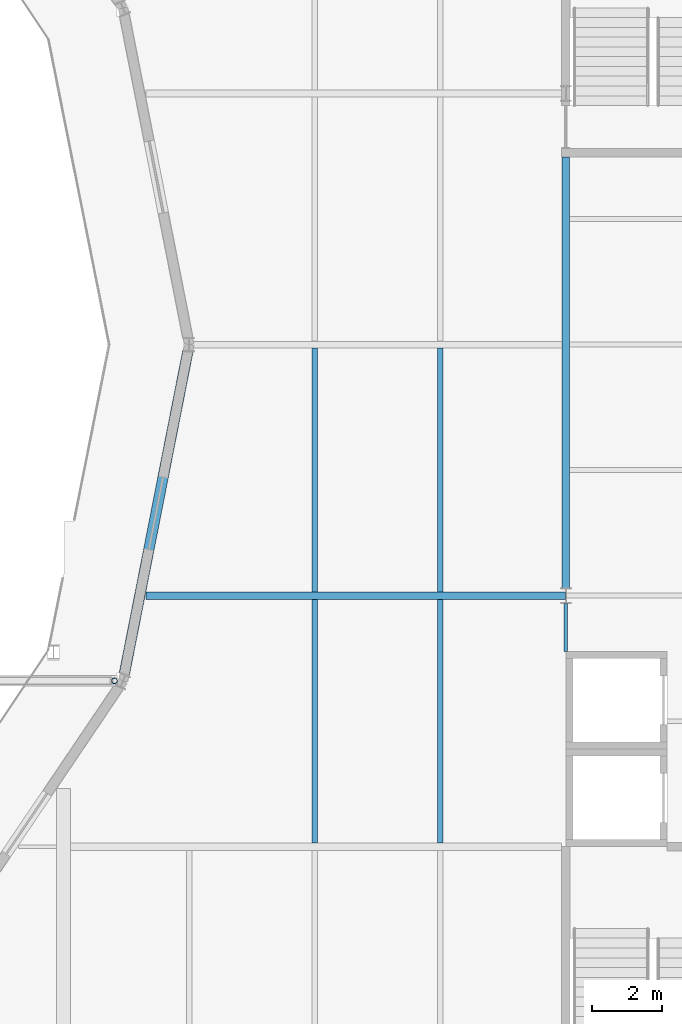
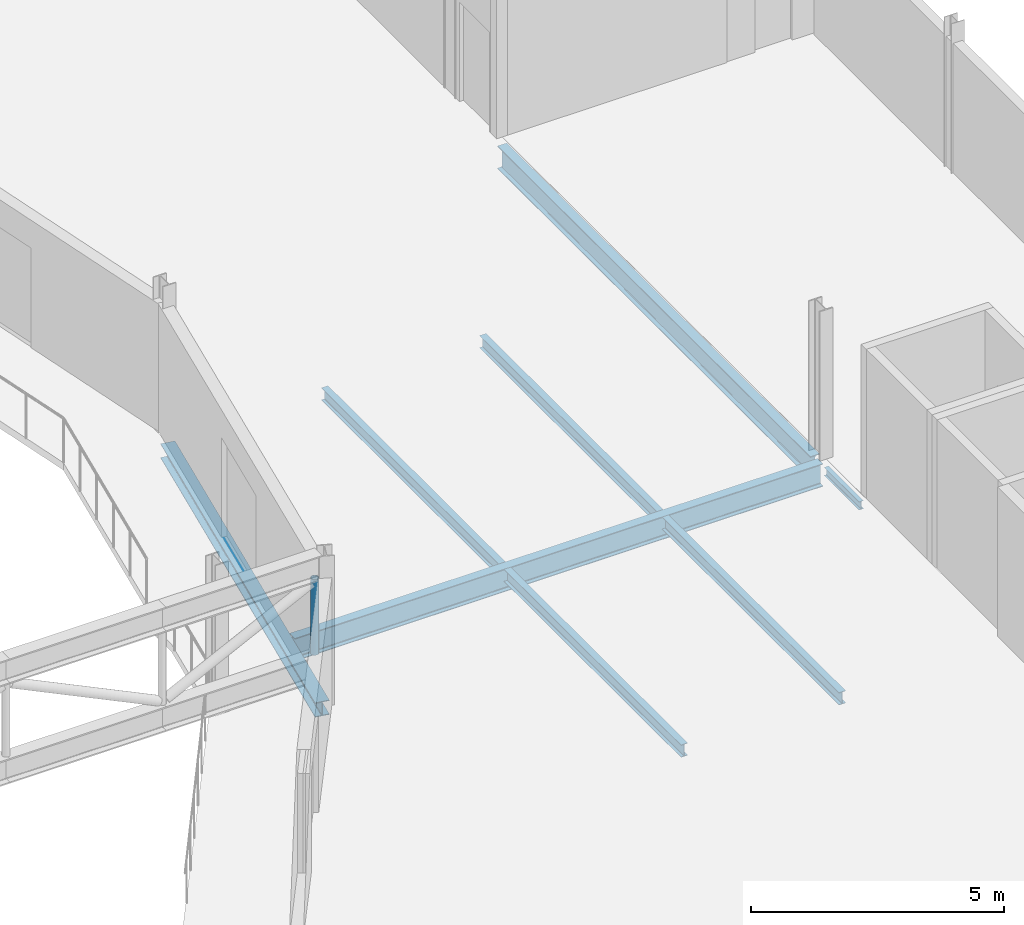
# One storey, part 45 of 143: 8 beams, 1 member.
"""IFC4 building model written with IfcOpenShell, lengths in metres."""

import ifcopenshell
import ifcopenshell.guid

model = None  # the IFC model being written
_history = None  # IfcOwnerHistory: only IFC2X3 demands one
_inside = {}  # id of a spatial element -> (the spatial element, [elements in it])
_under = {}  # id of a project, library or spatial element -> (it, [spatial elements below it])
_declared = {}  # id of a project -> (the project, [libraries it declares])
_typed = {}  # id of a type object -> (the type object, [elements of that type])
_made_of = {}  # id of a material, layer set ... -> (it, [elements and type objects made of it])


def new_model(schema):
    """Start an empty IFC model of exactly this schema.

    Asked for "IFC4X3", IfcOpenShell would pick the latest addendum, in which some entities
    have other attributes; the version numbers below select the first issue.
    IFC2X3 requires an IfcOwnerHistory on every rooted entity: one is made here for all.
    """
    global model, _history
    if schema == "IFC4X3":
        model = ifcopenshell.file(schema_version=(4, 3, 0, 0))
    else:
        model = ifcopenshell.file(schema=schema)
    _inside.clear()
    _under.clear()
    _declared.clear()
    _typed.clear()
    _made_of.clear()
    _history = None
    if model.schema == "IFC2X3":
        org = make("IfcOrganization", Name="unknown")
        user = make(
            "IfcPersonAndOrganization",
            ThePerson=make("IfcPerson", FamilyName="unknown"),
            TheOrganization=org,
        )
        app = make(
            "IfcApplication",
            ApplicationDeveloper=org,
            Version="unknown",
            ApplicationFullName="unknown",
            ApplicationIdentifier="unknown",
        )
        _history = make(
            "IfcOwnerHistory",
            OwningUser=user,
            OwningApplication=app,
            ChangeAction="ADDED",
            CreationDate=0,
        )
    return model


def make(cls, **values):
    """One entity of the class cls with the attributes given. An attribute that is None is left unset."""
    return model.create_entity(
        cls, **{name: value for name, value in values.items() if value is not None}
    )


def rooted(cls, **values):
    """An entity with a GlobalId (a new one), such as an element, a storey or a relation."""
    return make(cls, GlobalId=ifcopenshell.guid.new(), OwnerHistory=_history, **values)


def si_unit(unit_type, name, prefix=None):
    """IfcSIUnit, for example si_unit("LENGTHUNIT", "METRE", prefix="MILLI")."""
    return make("IfcSIUnit", UnitType=unit_type, Prefix=prefix, Name=name)


def assignment(units):
    """IfcUnitAssignment: the units of a project."""
    return None if units is None else make("IfcUnitAssignment", Units=units)


def point(xyz):
    """IfcCartesianPoint."""
    return None if xyz is None else make("IfcCartesianPoint", Coordinates=xyz)


def direction(xyz):
    """IfcDirection."""
    return None if xyz is None else make("IfcDirection", DirectionRatios=xyz)


def frame(location, z_axis=None, x_axis=None):
    """IfcAxis2Placement3D, a coordinate frame: its origin and axes. An axis left out is left unset."""
    return make(
        "IfcAxis2Placement3D",
        Location=point(location),
        Axis=direction(z_axis),
        RefDirection=direction(x_axis),
    )


def frame_2d(location, x_axis=None):
    """IfcAxis2Placement2D, a coordinate frame in the plane: its origin and x axis."""
    return make(
        "IfcAxis2Placement2D", Location=point(location), RefDirection=direction(x_axis)
    )


def origin():
    """The frame at (0, 0, 0) with its axes left unset."""
    return frame((0.0, 0.0, 0.0))


def origin_2d():
    """The frame at (0, 0) in the plane with its x axis left unset."""
    return frame_2d((0.0, 0.0))


def place(relative_to, where):
    """IfcLocalPlacement: puts the frame where relative to a parent placement (None: the world)."""
    return make(
        "IfcLocalPlacement", PlacementRelTo=relative_to, RelativePlacement=where
    )


def context(
    kind, dimensions, precision=None, world=None, true_north=None, identifier=None
):
    """IfcGeometricRepresentationContext, for example the 3D "Model" context."""
    return make(
        "IfcGeometricRepresentationContext",
        ContextIdentifier=identifier,
        ContextType=kind,
        CoordinateSpaceDimension=dimensions,
        Precision=precision,
        WorldCoordinateSystem=world,
        TrueNorth=true_north,
    )


def subcontext(parent, identifier, kind, view, scale=None):
    """IfcGeometricRepresentationSubContext, for example "Body" below "Model"."""
    return make(
        "IfcGeometricRepresentationSubContext",
        ContextIdentifier=identifier,
        ContextType=kind,
        ParentContext=parent,
        TargetScale=scale,
        TargetView=view,
    )


def project(units=None, contexts=None):
    """IfcProject with its units and contexts."""
    return rooted(
        "IfcProject",
        Name="project",
        RepresentationContexts=contexts,
        UnitsInContext=assignment(units),
    )


def spatial(cls, under=None, at=None, **own):
    """A site, building, storey or space (cls), placed at a placement, below another one or the project."""
    s = rooted(cls, ObjectPlacement=at, **own)
    if under is not None:
        _under.setdefault(under.id(), (under, []))[1].append(s)
    return s


def profile(cls, at=None, kind="AREA", **sizes):
    """A parametric profile (cls). Its sizes go by their IFC names, for example OverallWidth=200.0."""
    return make(cls, ProfileType=kind, Position=at, **sizes)


def hollow_circle(**sizes):
    """IfcCircleHollowProfileDef."""
    return profile("IfcCircleHollowProfileDef", **sizes)


def i_section(**sizes):
    """IfcIShapeProfileDef."""
    return profile("IfcIShapeProfileDef", **sizes)


def extrude(swept, where, along, depth):
    """IfcExtrudedAreaSolid: the profile swept, set in the frame where, extruded along a direction by depth."""
    return make(
        "IfcExtrudedAreaSolid",
        SweptArea=swept,
        Position=where,
        ExtrudedDirection=direction(along),
        Depth=depth,
    )


def shape(context_of_items, identifier, shape_type, items):
    """IfcShapeRepresentation: the items that make up one representation, for example the "Body"."""
    return make(
        "IfcShapeRepresentation",
        ContextOfItems=context_of_items,
        RepresentationIdentifier=identifier,
        RepresentationType=shape_type,
        Items=items,
    )


def material(Name=None, Category=None):
    """IfcMaterial."""
    return make("IfcMaterial", Name=Name, Category=Category)


def material_profile(
    of_material, cross_section, Name=None, Category=None, Priority=None
):
    """IfcMaterialProfile: a cross section and its material."""
    return make(
        "IfcMaterialProfile",
        Name=Name,
        Material=of_material,
        Profile=cross_section,
        Priority=Priority,
        Category=Category,
    )


def profile_set(profiles, Name=None, composite=None):
    """IfcMaterialProfileSet."""
    return make(
        "IfcMaterialProfileSet",
        Name=Name,
        MaterialProfiles=profiles,
        CompositeProfile=composite,
    )


def made_of(thing, what):
    """Note that an element or type object is made of a material, layer set ...; save() writes the relation."""
    if what is not None:
        _made_of.setdefault(what.id(), (what, []))[1].append(thing)
    return thing


def type_object(cls, material=None, **own):
    """A type object (cls), such as IfcWallType, which elements share."""
    return made_of(rooted(cls, **own), material)


def element(
    cls,
    number,
    at=None,
    inside=None,
    cuts=None,
    type_object=None,
    material=None,
    context=None,
    identifier="Body",
    shape_type=None,
    held_by="IfcProductDefinitionShape",
    body=None,
    shapes=None,
    **own,
):
    """One element of the class cls, such as IfcWall. Its Tag is "e" and its number.

    at: its placement. inside: the storey or other place that contains it. cuts: it is an
    opening in that element (IfcRelVoidsElement). A single representation is given by context,
    identifier, shape_type and body (its items); several are given by shapes. held_by: the class
    of the entity that holds the representations. save() writes the other relations.
    """
    e = rooted(cls, Tag="e%d" % number, ObjectPlacement=at, **own)
    if body is not None:
        shapes = [shape(context, identifier, shape_type, body)]
    if shapes is not None:
        e.Representation = make(held_by, Representations=shapes)
    if inside is not None:
        _inside.setdefault(inside.id(), (inside, []))[1].append(e)
    if cuts is not None:
        rooted(
            "IfcRelVoidsElement", RelatingBuildingElement=cuts, RelatedOpeningElement=e
        )
    if type_object is not None:
        _typed.setdefault(type_object.id(), (type_object, []))[1].append(e)
    return made_of(e, material)


def aggregate(whole, parts):
    """IfcRelAggregates: a whole, such as a stair, and the parts it consists of."""
    return rooted("IfcRelAggregates", RelatingObject=whole, RelatedObjects=parts)


def save(model, path):
    """Write the relations noted so far, then the file.

    IfcRelAggregates (storeys below a building ...), IfcRelContainedInSpatialStructure (elements
    in a storey), IfcRelDefinesByType, IfcRelAssociatesMaterial and IfcRelDeclares: one each for
    every whole, place, type object, material and project.
    """
    for whole, parts in _under.values():
        aggregate(whole, parts)
    for where, things in _inside.values():
        rooted(
            "IfcRelContainedInSpatialStructure",
            RelatedElements=things,
            RelatingStructure=where,
        )
    for kind, things in _typed.values():
        rooted("IfcRelDefinesByType", RelatedObjects=things, RelatingType=kind)
    for what, things in _made_of.values():
        rooted("IfcRelAssociatesMaterial", RelatedObjects=things, RelatingMaterial=what)
    for by, libraries in _declared.values():
        rooted("IfcRelDeclares", RelatingContext=by, RelatedDefinitions=libraries)
    model.write(path)


model = new_model("IFC4")

# Units and contexts
model_context = context("Model", 3, precision=1e-05, world=origin(), true_north=direction((0.0, 1.0)))
body_context = subcontext(model_context, "Body", "Model", "MODEL_VIEW")
ifc_project = project(units=[si_unit("LENGTHUNIT", "METRE"), si_unit("AREAUNIT", "SQUARE_METRE"), si_unit("VOLUMEUNIT", "CUBIC_METRE"), si_unit("PLANEANGLEUNIT", "RADIAN"), si_unit("MASSUNIT", "GRAM", prefix="KILO")], contexts=[model_context])

# Site, building, storey
site_placement = place(None, origin())
site = spatial("IfcSite", under=ifc_project, at=site_placement, CompositionType="ELEMENT")
building_placement = place(site_placement, origin())
building = spatial("IfcBuilding", under=site, at=building_placement, Name="Kupolbacken Congress Centre", CompositionType="ELEMENT")
storey_placement = place(building_placement, frame((0.0, 0.0, 7.199951171875)))
storey = spatial("IfcBuildingStorey", under=building, at=storey_placement, Name="L02", CompositionType="ELEMENT", Elevation=7.199951171875)

# Beams
ifc_material_1 = material(Name="Steel S355", Category="steel")
ifc_material_profile_1 = material_profile(ifc_material_1, i_section(OverallWidth=0.10009765625, OverallDepth=0.199951171875, WebThickness=0.005615234375, FlangeThickness=0.008544921875, FilletRadius=0.011962890625, at=origin_2d()), Name="IPE 200")
ifc_profile_set_1 = profile_set([ifc_material_profile_1], Name="Steel S355")
beam_type_1 = type_object("IfcBeamType", Name="B01 beam IPE 200", PredefinedType="BEAM", material=ifc_profile_set_1)
beam_1_placement = place(storey_placement, frame((79.199951171875, 77.60009765625, -0.280029296875), z_axis=(0.0, 1.0, 0.0), x_axis=(-1.0, 0.0, 0.0)))
element("IfcBeam", 1, at=beam_1_placement, inside=storey, type_object=beam_type_1, Name="S/floor/P/L02/G034", PredefinedType="BEAM", context=body_context, shape_type="SweptSolid", body=[
    extrude(i_section(OverallWidth=0.10009765625, OverallDepth=0.199951171875, WebThickness=0.005615234375, FlangeThickness=0.008544921875, FilletRadius=0.011962890625, at=origin_2d()), origin(), (0.0, 0.0, 1.0), 1.375),
])
ifc_material_2 = material(Name="Steel S355", Category="steel")
ifc_material_profile_2 = material_profile(ifc_material_2, i_section(OverallWidth=0.14990234375, OverallDepth=0.300048828125, WebThickness=0.007080078125, FlangeThickness=0.0107421875, FilletRadius=0.014892578125, at=origin_2d()), Name="IPE 300")
ifc_profile_set_2 = profile_set([ifc_material_profile_2], Name="Steel S355")
beam_type_2 = type_object("IfcBeamType", Name="B04 beam IPE 300", PredefinedType="BEAM", material=ifc_profile_set_2)
beam_2_placement = place(storey_placement, frame((72.0, 72.110107421875, -0.329833984375), z_axis=(0.0, 1.0, 0.0), x_axis=(-1.0, 0.0, 0.0)))
element("IfcBeam", 2, at=beam_2_placement, inside=storey, type_object=beam_type_2, Name="S/floor/P/L02/S143", PredefinedType="BEAM", context=body_context, shape_type="SweptSolid", body=[
    extrude(i_section(OverallWidth=0.14990234375, OverallDepth=0.300048828125, WebThickness=0.007080078125, FlangeThickness=0.0107421875, FilletRadius=0.014892578125, at=origin_2d()), origin(), (0.0, 0.0, 1.0), 6.98486328125),
])
beam_3_placement = place(storey_placement, frame((72.0, 79.304931640625, -0.329833984375), z_axis=(0.0, 1.0, 0.0), x_axis=(-1.0, 0.0, 0.0)))
element("IfcBeam", 3, at=beam_3_placement, inside=storey, type_object=beam_type_2, Name="S/floor/P/L02/S144", PredefinedType="BEAM", context=body_context, shape_type="SweptSolid", body=[
    extrude(i_section(OverallWidth=0.14990234375, OverallDepth=0.300048828125, WebThickness=0.007080078125, FlangeThickness=0.0107421875, FilletRadius=0.014892578125, at=origin_2d()), origin(), (0.0, 0.0, 1.0), 7.0),
])
beam_4_placement = place(storey_placement, frame((75.60009765625, 72.110107421875, -0.329833984375), z_axis=(0.0, 1.0, 0.0), x_axis=(-1.0, 0.0, 0.0)))
element("IfcBeam", 4, at=beam_4_placement, inside=storey, type_object=beam_type_2, Name="S/floor/P/L02/S154", PredefinedType="BEAM", context=body_context, shape_type="SweptSolid", body=[
    extrude(i_section(OverallWidth=0.14990234375, OverallDepth=0.300048828125, WebThickness=0.007080078125, FlangeThickness=0.0107421875, FilletRadius=0.014892578125, at=origin_2d()), origin(), (0.0, 0.0, 1.0), 6.98486328125),
])
beam_5_placement = place(storey_placement, frame((75.60009765625, 79.304931640625, -0.329833984375), z_axis=(0.0, 1.0, 0.0), x_axis=(-1.0, 0.0, 0.0)))
element("IfcBeam", 5, at=beam_5_placement, inside=storey, type_object=beam_type_2, Name="S/floor/P/L02/S155", PredefinedType="BEAM", context=body_context, shape_type="SweptSolid", body=[
    extrude(i_section(OverallWidth=0.14990234375, OverallDepth=0.300048828125, WebThickness=0.007080078125, FlangeThickness=0.0107421875, FilletRadius=0.014892578125, at=origin_2d()), origin(), (0.0, 0.0, 1.0), 7.0),
])
ifc_material_3 = material(Name="Steel S355", Category="steel")
ifc_material_profile_3 = material_profile(ifc_material_3, i_section(OverallWidth=0.2099609375, OverallDepth=0.550048828125, WebThickness=0.010986328125, FlangeThickness=0.01708984375, FilletRadius=0.02392578125, at=origin_2d()), Name="IPE 550")
ifc_profile_set_3 = profile_set([ifc_material_profile_3], Name="Steel S355")
beam_type_3 = type_object("IfcBeamType", Name="B10 beam IPE 550", PredefinedType="BEAM", material=ifc_profile_set_3)
beam_6_placement = place(storey_placement, frame((79.199951171875, 79.425048828125, -0.454833984375), z_axis=(0.0, 1.0, 0.0), x_axis=(-1.0, 0.0, 0.0)))
element("IfcBeam", 6, at=beam_6_placement, inside=storey, type_object=beam_type_3, Name="S/floor/P/L02/G035", PredefinedType="BEAM", context=body_context, shape_type="SweptSolid", body=[
    extrude(i_section(OverallWidth=0.2099609375, OverallDepth=0.550048828125, WebThickness=0.010986328125, FlangeThickness=0.01708984375, FilletRadius=0.02392578125, at=origin_2d()), origin(), (0.0, 0.0, 1.0), 12.349853515625),
])
beam_7_placement = place(storey_placement, frame((67.156005859375, 79.199951171875, -0.454833984375), z_axis=(1.0, 0.0, 0.0), x_axis=(0.0, 1.0, 0.0)))
element("IfcBeam", 7, at=beam_7_placement, inside=storey, type_object=beam_type_3, Name="S/floor/P/L02/R052", PredefinedType="BEAM", context=body_context, shape_type="SweptSolid", body=[
    extrude(i_section(OverallWidth=0.2099609375, OverallDepth=0.550048828125, WebThickness=0.010986328125, FlangeThickness=0.01708984375, FilletRadius=0.02392578125, at=origin_2d()), origin(), (0.0, 0.0, 1.0), 12.037109375),
])
ifc_material_4 = material(Name="Steel S355", Category="steel")
ifc_material_profile_4 = material_profile(ifc_material_4, i_section(OverallWidth=0.300048828125, OverallDepth=0.35009765625, WebThickness=0.010009765625, FlangeThickness=0.017578125, FilletRadius=0.027099609375, at=origin_2d()), Name="HEA 360")
ifc_profile_set_4 = profile_set([ifc_material_profile_4], Name="Steel S355")
beam_type_4 = type_object("IfcBeamType", Name="B13 beam HEA 360", PredefinedType="BEAM", material=ifc_profile_set_4)
beam_8_placement = place(storey_placement, frame((66.539306640625, 76.9501953125, -0.35498046875), z_axis=(0.193191886678, 0.981160993376, 0.0), x_axis=(-0.981160993376, 0.193191886678, 0.0)))
element("IfcBeam", 8, at=beam_8_placement, inside=storey, type_object=beam_type_4, Name="S/floor/P/L02/C016", PredefinedType="BEAM", context=body_context, shape_type="SweptSolid", body=[
    extrude(i_section(OverallWidth=0.300048828125, OverallDepth=0.35009765625, WebThickness=0.010009765625, FlangeThickness=0.017578125, FilletRadius=0.027099609375, at=origin_2d()), origin(), (0.0, 0.0, 1.0), 9.42724609375),
])

# Member
ifc_material_5 = material(Name="Steel S355", Category="steel")
ifc_material_profile_5 = material_profile(ifc_material_5, hollow_circle(Radius=0.084228515625, WallThickness=0.008056640625, at=origin_2d()), Name="CHS 168.3 x 8")
ifc_profile_set_5 = profile_set([ifc_material_profile_5], Name="Steel S355")
member_type = type_object("IfcMemberType", Name="M20 transfer truss post CHS 168.3 x 8", PredefinedType="STRUT", material=ifc_profile_set_5)
member_placement = place(storey_placement, frame((66.257568359375, 76.75634765625, 1.206298828125), z_axis=(0.0, 0.0, 1.0), x_axis=(1.0, 0.0, 0.0)))
element("IfcMember", 9, at=member_placement, inside=storey, type_object=member_type, Name="PD/L02/balc/trussF/P13", PredefinedType="STRUT", context=body_context, shape_type="SweptSolid", body=[
    extrude(hollow_circle(Radius=0.084228515625, WallThickness=0.008056640625, at=origin_2d()), origin(), (0.0, 0.0, 1.0), 1.820068359375),
])

save(model, "model.ifc")
